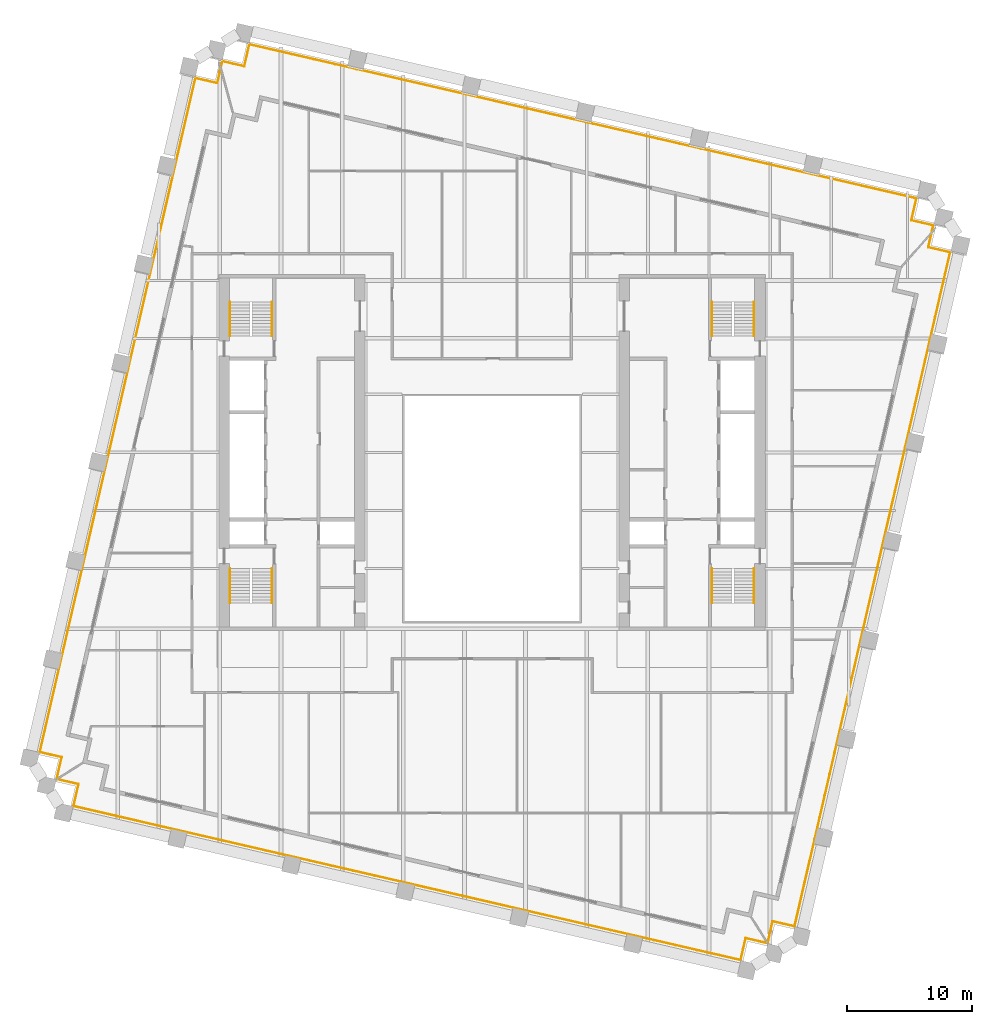
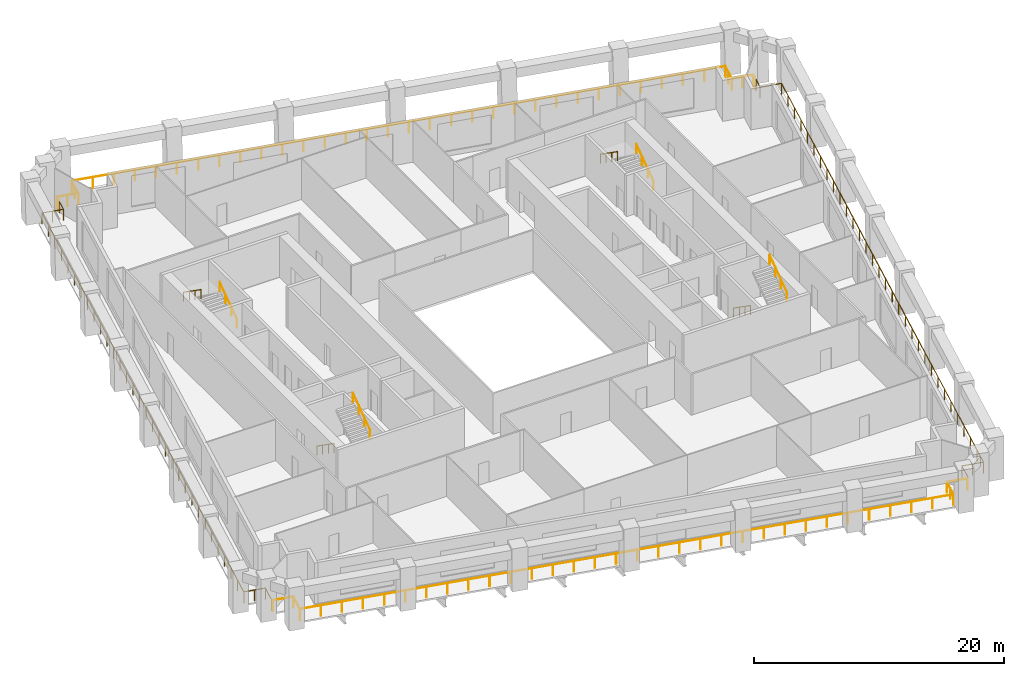
# One storey, part 9 of 9: 12 railings.
"""IFC4 building model written with IfcOpenShell, lengths in metres."""

from ifc_helpers import new_model, si_unit, direction, frame, origin, origin_2d, place, context, subcontext, project, spatial, circle, extrude, material, type_object, element, save


model = new_model("IFC4")

# Units and contexts
model_context = context("Model", 3, precision=1e-05, world=origin(), true_north=direction((0.0, 1.0)))
body_context = subcontext(model_context, "Body", "Model", "MODEL_VIEW")
ifc_project = project(units=[si_unit("LENGTHUNIT", "METRE"), si_unit("AREAUNIT", "SQUARE_METRE"), si_unit("VOLUMEUNIT", "CUBIC_METRE"), si_unit("PLANEANGLEUNIT", "RADIAN"), si_unit("MASSUNIT", "GRAM", prefix="KILO")], contexts=[model_context])

# Site, building, storey
site_placement = place(None, origin())
site = spatial("IfcSite", under=ifc_project, at=site_placement, CompositionType="ELEMENT")
building_placement = place(site_placement, origin())
building = spatial("IfcBuilding", under=site, at=building_placement, Name="Ogive Exchange Tower", CompositionType="ELEMENT")
storey_placement = place(building_placement, frame((0.0, 0.0, 122.39990234375)))
storey = spatial("IfcBuildingStorey", under=building, at=storey_placement, Name="L26", CompositionType="ELEMENT", Elevation=122.39990234375)

# Railings
ifc_material_1 = material(Name="Stainless steel 316", Category="steel")
railing_type_1 = type_object("IfcRailingType", Name="Guard 1100 stainless steel and glass", PredefinedType="GUARDRAIL", material=ifc_material_1)
railing_1_placement = place(storey_placement, frame((21.947265625, -27.74462890625, -0.0498046875)))
element("IfcRailing", 1, at=railing_1_placement, inside=storey, type_object=railing_type_1, Name="Loggia guard 1", PredefinedType="GUARDRAIL", context=body_context, shape_type="SweptSolid", body=[
    extrude(circle(Radius=0.02392578125, at=origin_2d()), frame((0.0, 0.0, 1.076171875), z_axis=(-0.974396013545, 0.224838628327, 0.0), x_axis=(-0.224838628327, -0.974396013545, 0.0)), (0.0, 0.0, 1.0), 1.7080078125),
    extrude(circle(Radius=0.02392578125, at=origin_2d()), frame((-1.664306640625, 0.384033203125, 1.076171875), z_axis=(-0.225008086135, -0.974356896201, 0.0), x_axis=(0.974356896201, -0.225008086135, 0.0)), (0.0, 0.0, 1.0), 1.800048828125),
    extrude(circle(Radius=0.02392578125, at=origin_2d()), frame((-2.0693359375, -1.369873046875, 1.076171875), z_axis=(-0.974368873975, 0.224956212247, 0.0), x_axis=(-0.224956212247, -0.974368873975, 0.0)), (0.0, 0.0, 1.0), 54.760009765625),
    extrude(circle(Radius=0.02392578125, at=origin_2d()), frame((-55.42578125, 10.94873046875, 1.076171875), z_axis=(0.22503782496, 0.974350028141, 0.0), x_axis=(-0.974350028141, 0.22503782496, 0.0)), (0.0, 0.0, 1.0), 1.7998046875),
    extrude(circle(Radius=0.02392578125, at=origin_2d()), frame((-55.020751953125, 12.702392578125, 1.076171875), z_axis=(-0.974364690374, 0.224974332206, 0.0), x_axis=(-0.224974332206, -0.974364690374, 0.0)), (0.0, 0.0, 1.0), 1.7080078125),
    extrude(circle(Radius=0.02099609375, at=origin_2d()), origin(), (0.0, 0.0, 1.0), 1.052001953125),
    extrude(circle(Radius=0.02099609375, at=origin_2d()), frame((-1.664306640625, 0.384033203125, 0.0)), (0.0, 0.0, 1.0), 1.052001953125),
    extrude(circle(Radius=0.02099609375, at=origin_2d()), frame((-1.86669921875, -0.492919921875, 0.0)), (0.0, 0.0, 1.0), 1.052001953125),
    extrude(circle(Radius=0.02099609375, at=origin_2d()), frame((-2.0693359375, -1.369873046875, 0.0)), (0.0, 0.0, 1.0), 1.052001953125),
    extrude(circle(Radius=0.02099609375, at=origin_2d()), frame((-3.79052734375, -0.972412109375, 0.0)), (0.0, 0.0, 1.0), 1.052001953125),
    extrude(circle(Radius=0.02099609375, at=origin_2d()), frame((-5.51171875, -0.5751953125, 0.0)), (0.0, 0.0, 1.0), 1.052001953125),
    extrude(circle(Radius=0.02099609375, at=origin_2d()), frame((-7.23291015625, -0.177734375, 0.0)), (0.0, 0.0, 1.0), 1.052001953125),
    extrude(circle(Radius=0.02099609375, at=origin_2d()), frame((-8.9541015625, 0.2197265625, 0.0)), (0.0, 0.0, 1.0), 1.052001953125),
    extrude(circle(Radius=0.02099609375, at=origin_2d()), frame((-10.67529296875, 0.616943359375, 0.0)), (0.0, 0.0, 1.0), 1.052001953125),
    extrude(circle(Radius=0.02099609375, at=origin_2d()), frame((-12.396484375, 1.014404296875, 0.0)), (0.0, 0.0, 1.0), 1.052001953125),
    extrude(circle(Radius=0.02099609375, at=origin_2d()), frame((-14.11767578125, 1.411865234375, 0.0)), (0.0, 0.0, 1.0), 1.052001953125),
    extrude(circle(Radius=0.02099609375, at=origin_2d()), frame((-15.838623046875, 1.80908203125, 0.0)), (0.0, 0.0, 1.0), 1.052001953125),
    extrude(circle(Radius=0.02099609375, at=origin_2d()), frame((-17.559814453125, 2.20654296875, 0.0)), (0.0, 0.0, 1.0), 1.052001953125),
    extrude(circle(Radius=0.02099609375, at=origin_2d()), frame((-19.281005859375, 2.603759765625, 0.0)), (0.0, 0.0, 1.0), 1.052001953125),
    extrude(circle(Radius=0.02099609375, at=origin_2d()), frame((-21.002197265625, 3.001220703125, 0.0)), (0.0, 0.0, 1.0), 1.052001953125),
    extrude(circle(Radius=0.02099609375, at=origin_2d()), frame((-22.723388671875, 3.398681640625, 0.0)), (0.0, 0.0, 1.0), 1.052001953125),
    extrude(circle(Radius=0.02099609375, at=origin_2d()), frame((-24.444580078125, 3.7958984375, 0.0)), (0.0, 0.0, 1.0), 1.052001953125),
    extrude(circle(Radius=0.02099609375, at=origin_2d()), frame((-26.165771484375, 4.193359375, 0.0)), (0.0, 0.0, 1.0), 1.052001953125),
    extrude(circle(Radius=0.02099609375, at=origin_2d()), frame((-27.886962890625, 4.5908203125, 0.0)), (0.0, 0.0, 1.0), 1.052001953125),
    extrude(circle(Radius=0.02099609375, at=origin_2d()), frame((-29.608154296875, 4.988037109375, 0.0)), (0.0, 0.0, 1.0), 1.052001953125),
    extrude(circle(Radius=0.02099609375, at=origin_2d()), frame((-31.329345703125, 5.385498046875, 0.0)), (0.0, 0.0, 1.0), 1.052001953125),
    extrude(circle(Radius=0.02099609375, at=origin_2d()), frame((-33.050537109375, 5.782958984375, 0.0)), (0.0, 0.0, 1.0), 1.052001953125),
    extrude(circle(Radius=0.02099609375, at=origin_2d()), frame((-34.771728515625, 6.18017578125, 0.0)), (0.0, 0.0, 1.0), 1.052001953125),
    extrude(circle(Radius=0.02099609375, at=origin_2d()), frame((-36.492919921875, 6.57763671875, 0.0)), (0.0, 0.0, 1.0), 1.052001953125),
    extrude(circle(Radius=0.02099609375, at=origin_2d()), frame((-38.214111328125, 6.97509765625, 0.0)), (0.0, 0.0, 1.0), 1.052001953125),
    extrude(circle(Radius=0.02099609375, at=origin_2d()), frame((-39.935302734375, 7.372314453125, 0.0)), (0.0, 0.0, 1.0), 1.052001953125),
    extrude(circle(Radius=0.02099609375, at=origin_2d()), frame((-41.656494140625, 7.769775390625, 0.0)), (0.0, 0.0, 1.0), 1.052001953125),
    extrude(circle(Radius=0.02099609375, at=origin_2d()), frame((-43.37744140625, 8.1669921875, 0.0)), (0.0, 0.0, 1.0), 1.052001953125),
    extrude(circle(Radius=0.02099609375, at=origin_2d()), frame((-45.0986328125, 8.564453125, 0.0)), (0.0, 0.0, 1.0), 1.052001953125),
    extrude(circle(Radius=0.02099609375, at=origin_2d()), frame((-46.81982421875, 8.9619140625, 0.0)), (0.0, 0.0, 1.0), 1.052001953125),
    extrude(circle(Radius=0.02099609375, at=origin_2d()), frame((-48.541015625, 9.359130859375, 0.0)), (0.0, 0.0, 1.0), 1.052001953125),
    extrude(circle(Radius=0.02099609375, at=origin_2d()), frame((-50.26220703125, 9.756591796875, 0.0)), (0.0, 0.0, 1.0), 1.052001953125),
    extrude(circle(Radius=0.02099609375, at=origin_2d()), frame((-51.9833984375, 10.154052734375, 0.0)), (0.0, 0.0, 1.0), 1.052001953125),
    extrude(circle(Radius=0.02099609375, at=origin_2d()), frame((-53.70458984375, 10.55126953125, 0.0)), (0.0, 0.0, 1.0), 1.052001953125),
    extrude(circle(Radius=0.02099609375, at=origin_2d()), frame((-55.42578125, 10.94873046875, 0.0)), (0.0, 0.0, 1.0), 1.052001953125),
    extrude(circle(Radius=0.02099609375, at=origin_2d()), frame((-55.020751953125, 12.702392578125, 0.0)), (0.0, 0.0, 1.0), 1.052001953125),
    extrude(circle(Radius=0.02099609375, at=origin_2d()), frame((-56.68505859375, 13.086669921875, 0.0)), (0.0, 0.0, 1.0), 1.052001953125),
])
railing_2_placement = place(storey_placement, frame((-34.806884765625, -14.547607421875, -0.0498046875)))
element("IfcRailing", 2, at=railing_2_placement, inside=storey, type_object=railing_type_1, Name="Loggia guard 2", PredefinedType="GUARDRAIL", context=body_context, shape_type="SweptSolid", body=[
    extrude(circle(Radius=0.02392578125, at=origin_2d()), frame((0.0, 0.0, 1.076171875), z_axis=(0.224974332206, 0.974364690374, 0.0), x_axis=(-0.974364690374, 0.224974332206, 0.0)), (0.0, 0.0, 1.0), 1.7080078125),
    extrude(circle(Radius=0.02392578125, at=origin_2d()), frame((0.38427734375, 1.664306640625, 1.076171875), z_axis=(-0.974386623598, 0.224879318197, 0.0), x_axis=(-0.224879318197, -0.974386623598, 0.0)), (0.0, 0.0, 1.0), 1.800048828125),
    extrude(circle(Radius=0.02392578125, at=origin_2d()), frame((-1.36962890625, 2.069091796875, 1.076171875), z_axis=(0.22495295563, 0.974369625837, 0.0), x_axis=(-0.974369625837, 0.22495295563, 0.0)), (0.0, 0.0, 1.0), 55.332763671875),
    extrude(circle(Radius=0.02392578125, at=origin_2d()), frame((11.07763671875, 55.983642578125, 1.076171875), z_axis=(0.974356896201, -0.225008086135, 0.0), x_axis=(0.225008086135, 0.974356896201, 0.0)), (0.0, 0.0, 1.0), 1.800048828125),
    extrude(circle(Radius=0.02392578125, at=origin_2d()), frame((12.83154296875, 55.57861328125, 1.076171875), z_axis=(0.224744377467, 0.974417756815, 0.0), x_axis=(-0.974417756815, 0.224744377467, 0.0)), (0.0, 0.0, 1.0), 1.084228515625),
    extrude(circle(Radius=0.02099609375, at=origin_2d()), origin(), (0.0, 0.0, 1.0), 1.052001953125),
    extrude(circle(Radius=0.02099609375, at=origin_2d()), frame((0.38427734375, 1.664306640625, 0.0)), (0.0, 0.0, 1.0), 1.052001953125),
    extrude(circle(Radius=0.02099609375, at=origin_2d()), frame((-0.49267578125, 1.86669921875, 0.0)), (0.0, 0.0, 1.0), 1.052001953125),
    extrude(circle(Radius=0.02099609375, at=origin_2d()), frame((-1.36962890625, 2.069091796875, 0.0)), (0.0, 0.0, 1.0), 1.052001953125),
    extrude(circle(Radius=0.02099609375, at=origin_2d()), frame((-0.968017578125, 3.808349609375, 0.0)), (0.0, 0.0, 1.0), 1.052001953125),
    extrude(circle(Radius=0.02099609375, at=origin_2d()), frame((-0.566650390625, 5.54736328125, 0.0)), (0.0, 0.0, 1.0), 1.052001953125),
    extrude(circle(Radius=0.02099609375, at=origin_2d()), frame((-0.1650390625, 7.28662109375, 0.0)), (0.0, 0.0, 1.0), 1.052001953125),
    extrude(circle(Radius=0.02099609375, at=origin_2d()), frame((0.236572265625, 9.02587890625, 0.0)), (0.0, 0.0, 1.0), 1.052001953125),
    extrude(circle(Radius=0.02099609375, at=origin_2d()), frame((0.637939453125, 10.764892578125, 0.0)), (0.0, 0.0, 1.0), 1.052001953125),
    extrude(circle(Radius=0.02099609375, at=origin_2d()), frame((1.03955078125, 12.504150390625, 0.0)), (0.0, 0.0, 1.0), 1.052001953125),
    extrude(circle(Radius=0.02099609375, at=origin_2d()), frame((1.441162109375, 14.243408203125, 0.0)), (0.0, 0.0, 1.0), 1.052001953125),
    extrude(circle(Radius=0.02099609375, at=origin_2d()), frame((1.842529296875, 15.982421875, 0.0)), (0.0, 0.0, 1.0), 1.052001953125),
    extrude(circle(Radius=0.02099609375, at=origin_2d()), frame((2.244140625, 17.7216796875, 0.0)), (0.0, 0.0, 1.0), 1.052001953125),
    extrude(circle(Radius=0.02099609375, at=origin_2d()), frame((2.6455078125, 19.4609375, 0.0)), (0.0, 0.0, 1.0), 1.052001953125),
    extrude(circle(Radius=0.02099609375, at=origin_2d()), frame((3.047119140625, 21.199951171875, 0.0)), (0.0, 0.0, 1.0), 1.052001953125),
    extrude(circle(Radius=0.02099609375, at=origin_2d()), frame((3.44873046875, 22.939208984375, 0.0)), (0.0, 0.0, 1.0), 1.052001953125),
    extrude(circle(Radius=0.02099609375, at=origin_2d()), frame((3.85009765625, 24.678466796875, 0.0)), (0.0, 0.0, 1.0), 1.052001953125),
    extrude(circle(Radius=0.02099609375, at=origin_2d()), frame((4.251708984375, 26.41748046875, 0.0)), (0.0, 0.0, 1.0), 1.052001953125),
    extrude(circle(Radius=0.02099609375, at=origin_2d()), frame((4.6533203125, 28.15673828125, 0.0)), (0.0, 0.0, 1.0), 1.052001953125),
    extrude(circle(Radius=0.02099609375, at=origin_2d()), frame((5.0546875, 29.89599609375, 0.0)), (0.0, 0.0, 1.0), 1.052001953125),
    extrude(circle(Radius=0.02099609375, at=origin_2d()), frame((5.456298828125, 31.63525390625, 0.0)), (0.0, 0.0, 1.0), 1.052001953125),
    extrude(circle(Radius=0.02099609375, at=origin_2d()), frame((5.85791015625, 33.374267578125, 0.0)), (0.0, 0.0, 1.0), 1.052001953125),
    extrude(circle(Radius=0.02099609375, at=origin_2d()), frame((6.25927734375, 35.113525390625, 0.0)), (0.0, 0.0, 1.0), 1.052001953125),
    extrude(circle(Radius=0.02099609375, at=origin_2d()), frame((6.660888671875, 36.852783203125, 0.0)), (0.0, 0.0, 1.0), 1.052001953125),
    extrude(circle(Radius=0.02099609375, at=origin_2d()), frame((7.0625, 38.591796875, 0.0)), (0.0, 0.0, 1.0), 1.052001953125),
    extrude(circle(Radius=0.02099609375, at=origin_2d()), frame((7.4638671875, 40.3310546875, 0.0)), (0.0, 0.0, 1.0), 1.052001953125),
    extrude(circle(Radius=0.02099609375, at=origin_2d()), frame((7.865478515625, 42.0703125, 0.0)), (0.0, 0.0, 1.0), 1.052001953125),
    extrude(circle(Radius=0.02099609375, at=origin_2d()), frame((8.266845703125, 43.809326171875, 0.0)), (0.0, 0.0, 1.0), 1.052001953125),
    extrude(circle(Radius=0.02099609375, at=origin_2d()), frame((8.66845703125, 45.548583984375, 0.0)), (0.0, 0.0, 1.0), 1.052001953125),
    extrude(circle(Radius=0.02099609375, at=origin_2d()), frame((9.070068359375, 47.287841796875, 0.0)), (0.0, 0.0, 1.0), 1.052001953125),
    extrude(circle(Radius=0.02099609375, at=origin_2d()), frame((9.471435546875, 49.02685546875, 0.0)), (0.0, 0.0, 1.0), 1.052001953125),
    extrude(circle(Radius=0.02099609375, at=origin_2d()), frame((9.873046875, 50.76611328125, 0.0)), (0.0, 0.0, 1.0), 1.052001953125),
    extrude(circle(Radius=0.02099609375, at=origin_2d()), frame((10.274658203125, 52.50537109375, 0.0)), (0.0, 0.0, 1.0), 1.052001953125),
    extrude(circle(Radius=0.02099609375, at=origin_2d()), frame((10.676025390625, 54.244384765625, 0.0)), (0.0, 0.0, 1.0), 1.052001953125),
    extrude(circle(Radius=0.02099609375, at=origin_2d()), frame((11.07763671875, 55.983642578125, 0.0)), (0.0, 0.0, 1.0), 1.052001953125),
    extrude(circle(Radius=0.02099609375, at=origin_2d()), frame((11.95458984375, 55.78125, 0.0)), (0.0, 0.0, 1.0), 1.052001953125),
    extrude(circle(Radius=0.02099609375, at=origin_2d()), frame((12.83154296875, 55.57861328125, 0.0)), (0.0, 0.0, 1.0), 1.052001953125),
    extrude(circle(Radius=0.02099609375, at=origin_2d()), frame((13.0751953125, 56.635009765625, 0.0)), (0.0, 0.0, 1.0), 1.052001953125),
])
railing_3_placement = place(storey_placement, frame((-21.669677734375, 42.355224609375, -0.0498046875)))
element("IfcRailing", 3, at=railing_3_placement, inside=storey, type_object=railing_type_1, Name="Loggia guard 3", PredefinedType="GUARDRAIL", context=body_context, shape_type="SweptSolid", body=[
    extrude(circle(Radius=0.02392578125, at=origin_2d()), frame((0.0, 0.0, 1.076171875), z_axis=(0.224778636874, 0.974409854427, 0.0), x_axis=(-0.974409854427, 0.224778636874, 0.0)), (0.0, 0.0, 1.0), 0.44091796875),
    extrude(circle(Radius=0.02392578125, at=origin_2d()), frame((0.09912109375, 0.4296875, 1.076171875), z_axis=(0.974386623598, -0.224879318197, 0.0), x_axis=(0.224879318197, 0.974386623598, 0.0)), (0.0, 0.0, 1.0), 1.800048828125),
    extrude(circle(Radius=0.02392578125, at=origin_2d()), frame((1.85302734375, 0.02490234375, 1.076171875), z_axis=(0.225008086135, 0.974356896201, 0.0), x_axis=(-0.974356896201, 0.225008086135, 0.0)), (0.0, 0.0, 1.0), 1.800048828125),
    extrude(circle(Radius=0.02392578125, at=origin_2d()), frame((2.258056640625, 1.77880859375, 1.076171875), z_axis=(0.974369851199, -0.224951979483, 0.0), x_axis=(0.224951979483, 0.974369851199, 0.0)), (0.0, 0.0, 1.0), 54.760009765625),
    extrude(circle(Radius=0.02392578125, at=origin_2d()), frame((55.614501953125, -10.53955078125, 1.076171875), z_axis=(-0.225008086135, -0.974356896201, 0.0), x_axis=(0.974356896201, -0.225008086135, 0.0)), (0.0, 0.0, 1.0), 1.800048828125),
    extrude(circle(Radius=0.02392578125, at=origin_2d()), frame((55.20947265625, -12.29345703125, 1.076171875), z_axis=(0.974386623598, -0.224879318197, 0.0), x_axis=(0.224879318197, 0.974386623598, 0.0)), (0.0, 0.0, 1.0), 1.800048828125),
    extrude(circle(Radius=0.02392578125, at=origin_2d()), frame((56.96337890625, -12.6982421875, 1.076171875), z_axis=(-0.224657438247, -0.974437804809, 0.0), x_axis=(0.974437804809, -0.224657438247, 0.0)), (0.0, 0.0, 1.0), 0.441162109375),
    extrude(circle(Radius=0.02099609375, at=origin_2d()), origin(), (0.0, 0.0, 1.0), 1.052001953125),
    extrude(circle(Radius=0.02099609375, at=origin_2d()), frame((0.09912109375, 0.4296875, 0.0)), (0.0, 0.0, 1.0), 1.052001953125),
    extrude(circle(Radius=0.02099609375, at=origin_2d()), frame((0.97607421875, 0.227294921875, 0.0)), (0.0, 0.0, 1.0), 1.052001953125),
    extrude(circle(Radius=0.02099609375, at=origin_2d()), frame((1.85302734375, 0.02490234375, 0.0)), (0.0, 0.0, 1.0), 1.052001953125),
    extrude(circle(Radius=0.02099609375, at=origin_2d()), frame((2.0556640625, 0.90185546875, 0.0)), (0.0, 0.0, 1.0), 1.052001953125),
    extrude(circle(Radius=0.02099609375, at=origin_2d()), frame((2.258056640625, 1.77880859375, 0.0)), (0.0, 0.0, 1.0), 1.052001953125),
    extrude(circle(Radius=0.02099609375, at=origin_2d()), frame((3.979248046875, 1.38134765625, 0.0)), (0.0, 0.0, 1.0), 1.052001953125),
    extrude(circle(Radius=0.02099609375, at=origin_2d()), frame((5.700439453125, 0.984130859375, 0.0)), (0.0, 0.0, 1.0), 1.052001953125),
    extrude(circle(Radius=0.02099609375, at=origin_2d()), frame((7.421630859375, 0.586669921875, 0.0)), (0.0, 0.0, 1.0), 1.052001953125),
    extrude(circle(Radius=0.02099609375, at=origin_2d()), frame((9.142822265625, 0.189453125, 0.0)), (0.0, 0.0, 1.0), 1.052001953125),
    extrude(circle(Radius=0.02099609375, at=origin_2d()), frame((10.864013671875, -0.2080078125, 0.0)), (0.0, 0.0, 1.0), 1.052001953125),
    extrude(circle(Radius=0.02099609375, at=origin_2d()), frame((12.585205078125, -0.60546875, 0.0)), (0.0, 0.0, 1.0), 1.052001953125),
    extrude(circle(Radius=0.02099609375, at=origin_2d()), frame((14.306396484375, -1.002685546875, 0.0)), (0.0, 0.0, 1.0), 1.052001953125),
    extrude(circle(Radius=0.02099609375, at=origin_2d()), frame((16.02734375, -1.400146484375, 0.0)), (0.0, 0.0, 1.0), 1.052001953125),
    extrude(circle(Radius=0.02099609375, at=origin_2d()), frame((17.74853515625, -1.797607421875, 0.0)), (0.0, 0.0, 1.0), 1.052001953125),
    extrude(circle(Radius=0.02099609375, at=origin_2d()), frame((19.4697265625, -2.19482421875, 0.0)), (0.0, 0.0, 1.0), 1.052001953125),
    extrude(circle(Radius=0.02099609375, at=origin_2d()), frame((21.19091796875, -2.59228515625, 0.0)), (0.0, 0.0, 1.0), 1.052001953125),
    extrude(circle(Radius=0.02099609375, at=origin_2d()), frame((22.912109375, -2.989501953125, 0.0)), (0.0, 0.0, 1.0), 1.052001953125),
    extrude(circle(Radius=0.02099609375, at=origin_2d()), frame((24.63330078125, -3.386962890625, 0.0)), (0.0, 0.0, 1.0), 1.052001953125),
    extrude(circle(Radius=0.02099609375, at=origin_2d()), frame((26.3544921875, -3.784423828125, 0.0)), (0.0, 0.0, 1.0), 1.052001953125),
    extrude(circle(Radius=0.02099609375, at=origin_2d()), frame((28.07568359375, -4.181640625, 0.0)), (0.0, 0.0, 1.0), 1.052001953125),
    extrude(circle(Radius=0.02099609375, at=origin_2d()), frame((29.796875, -4.5791015625, 0.0)), (0.0, 0.0, 1.0), 1.052001953125),
    extrude(circle(Radius=0.02099609375, at=origin_2d()), frame((31.51806640625, -4.976318359375, 0.0)), (0.0, 0.0, 1.0), 1.052001953125),
    extrude(circle(Radius=0.02099609375, at=origin_2d()), frame((33.2392578125, -5.373779296875, 0.0)), (0.0, 0.0, 1.0), 1.052001953125),
    extrude(circle(Radius=0.02099609375, at=origin_2d()), frame((34.96044921875, -5.771240234375, 0.0)), (0.0, 0.0, 1.0), 1.052001953125),
    extrude(circle(Radius=0.02099609375, at=origin_2d()), frame((36.681640625, -6.16845703125, 0.0)), (0.0, 0.0, 1.0), 1.052001953125),
    extrude(circle(Radius=0.02099609375, at=origin_2d()), frame((38.40283203125, -6.56591796875, 0.0)), (0.0, 0.0, 1.0), 1.052001953125),
    extrude(circle(Radius=0.02099609375, at=origin_2d()), frame((40.1240234375, -6.963134765625, 0.0)), (0.0, 0.0, 1.0), 1.052001953125),
    extrude(circle(Radius=0.02099609375, at=origin_2d()), frame((41.84521484375, -7.360595703125, 0.0)), (0.0, 0.0, 1.0), 1.052001953125),
    extrude(circle(Radius=0.02099609375, at=origin_2d()), frame((43.566162109375, -7.758056640625, 0.0)), (0.0, 0.0, 1.0), 1.052001953125),
    extrude(circle(Radius=0.02099609375, at=origin_2d()), frame((45.287353515625, -8.1552734375, 0.0)), (0.0, 0.0, 1.0), 1.052001953125),
    extrude(circle(Radius=0.02099609375, at=origin_2d()), frame((47.008544921875, -8.552734375, 0.0)), (0.0, 0.0, 1.0), 1.052001953125),
    extrude(circle(Radius=0.02099609375, at=origin_2d()), frame((48.729736328125, -8.9501953125, 0.0)), (0.0, 0.0, 1.0), 1.052001953125),
    extrude(circle(Radius=0.02099609375, at=origin_2d()), frame((50.450927734375, -9.347412109375, 0.0)), (0.0, 0.0, 1.0), 1.052001953125),
    extrude(circle(Radius=0.02099609375, at=origin_2d()), frame((52.172119140625, -9.744873046875, 0.0)), (0.0, 0.0, 1.0), 1.052001953125),
    extrude(circle(Radius=0.02099609375, at=origin_2d()), frame((53.893310546875, -10.14208984375, 0.0)), (0.0, 0.0, 1.0), 1.052001953125),
    extrude(circle(Radius=0.02099609375, at=origin_2d()), frame((55.614501953125, -10.53955078125, 0.0)), (0.0, 0.0, 1.0), 1.052001953125),
    extrude(circle(Radius=0.02099609375, at=origin_2d()), frame((55.412109375, -11.41650390625, 0.0)), (0.0, 0.0, 1.0), 1.052001953125),
    extrude(circle(Radius=0.02099609375, at=origin_2d()), frame((55.20947265625, -12.29345703125, 0.0)), (0.0, 0.0, 1.0), 1.052001953125),
    extrude(circle(Radius=0.02099609375, at=origin_2d()), frame((56.08642578125, -12.495849609375, 0.0)), (0.0, 0.0, 1.0), 1.052001953125),
    extrude(circle(Radius=0.02099609375, at=origin_2d()), frame((56.96337890625, -12.6982421875, 0.0)), (0.0, 0.0, 1.0), 1.052001953125),
    extrude(circle(Radius=0.02099609375, at=origin_2d()), frame((56.8642578125, -13.128173828125, 0.0)), (0.0, 0.0, 1.0), 1.052001953125),
])
railing_4_placement = place(storey_placement, frame((35.132568359375, 28.958984375, -0.0498046875)))
element("IfcRailing", 4, at=railing_4_placement, inside=storey, type_object=railing_type_1, Name="Loggia guard 4", PredefinedType="GUARDRAIL", context=body_context, shape_type="SweptSolid", body=[
    extrude(circle(Radius=0.02392578125, at=origin_2d()), frame((0.0, 0.0, 1.076171875), z_axis=(-0.224843052637, -0.97439499264, 0.0), x_axis=(0.97439499264, -0.224843052637, 0.0)), (0.0, 0.0, 1.0), 1.083740234375),
    extrude(circle(Radius=0.02392578125, at=origin_2d()), frame((-0.24365234375, -1.055908203125, 1.076171875), z_axis=(0.974350028141, -0.22503782496, 0.0), x_axis=(0.22503782496, 0.974350028141, 0.0)), (0.0, 0.0, 1.0), 1.7998046875),
    extrude(circle(Radius=0.02392578125, at=origin_2d()), frame((1.510009765625, -1.4609375, 1.076171875), z_axis=(-0.224948766673, -0.974370592933, 0.0), x_axis=(0.974370592933, -0.224948766673, 0.0)), (0.0, 0.0, 1.0), 55.332763671875),
    extrude(circle(Radius=0.02392578125, at=origin_2d()), frame((-10.93701171875, -55.37548828125, 1.076171875), z_axis=(-0.974356896201, 0.225008086135, 0.0), x_axis=(-0.225008086135, -0.974356896201, 0.0)), (0.0, 0.0, 1.0), 1.800048828125),
    extrude(circle(Radius=0.02392578125, at=origin_2d()), frame((-12.69091796875, -54.970458984375, 1.076171875), z_axis=(-0.224974332206, -0.974364690374, 0.0), x_axis=(0.974364690374, -0.224974332206, 0.0)), (0.0, 0.0, 1.0), 1.7080078125),
    extrude(circle(Radius=0.02099609375, at=origin_2d()), origin(), (0.0, 0.0, 1.0), 1.052001953125),
    extrude(circle(Radius=0.02099609375, at=origin_2d()), frame((-0.24365234375, -1.055908203125, 0.0)), (0.0, 0.0, 1.0), 1.052001953125),
    extrude(circle(Radius=0.02099609375, at=origin_2d()), frame((1.510009765625, -1.4609375, 0.0)), (0.0, 0.0, 1.0), 1.052001953125),
    extrude(circle(Radius=0.02099609375, at=origin_2d()), frame((1.1083984375, -3.2001953125, 0.0)), (0.0, 0.0, 1.0), 1.052001953125),
    extrude(circle(Radius=0.02099609375, at=origin_2d()), frame((0.70703125, -4.939208984375, 0.0)), (0.0, 0.0, 1.0), 1.052001953125),
    extrude(circle(Radius=0.02099609375, at=origin_2d()), frame((0.305419921875, -6.678466796875, 0.0)), (0.0, 0.0, 1.0), 1.052001953125),
    extrude(circle(Radius=0.02099609375, at=origin_2d()), frame((-0.095947265625, -8.417724609375, 0.0)), (0.0, 0.0, 1.0), 1.052001953125),
    extrude(circle(Radius=0.02099609375, at=origin_2d()), frame((-0.49755859375, -10.15673828125, 0.0)), (0.0, 0.0, 1.0), 1.052001953125),
    extrude(circle(Radius=0.02099609375, at=origin_2d()), frame((-0.899169921875, -11.89599609375, 0.0)), (0.0, 0.0, 1.0), 1.052001953125),
    extrude(circle(Radius=0.02099609375, at=origin_2d()), frame((-1.300537109375, -13.63525390625, 0.0)), (0.0, 0.0, 1.0), 1.052001953125),
    extrude(circle(Radius=0.02099609375, at=origin_2d()), frame((-1.7021484375, -15.374267578125, 0.0)), (0.0, 0.0, 1.0), 1.052001953125),
    extrude(circle(Radius=0.02099609375, at=origin_2d()), frame((-2.103759765625, -17.113525390625, 0.0)), (0.0, 0.0, 1.0), 1.052001953125),
    extrude(circle(Radius=0.02099609375, at=origin_2d()), frame((-2.505126953125, -18.852783203125, 0.0)), (0.0, 0.0, 1.0), 1.052001953125),
    extrude(circle(Radius=0.02099609375, at=origin_2d()), frame((-2.90673828125, -20.591796875, 0.0)), (0.0, 0.0, 1.0), 1.052001953125),
    extrude(circle(Radius=0.02099609375, at=origin_2d()), frame((-3.30810546875, -22.3310546875, 0.0)), (0.0, 0.0, 1.0), 1.052001953125),
    extrude(circle(Radius=0.02099609375, at=origin_2d()), frame((-3.709716796875, -24.0703125, 0.0)), (0.0, 0.0, 1.0), 1.052001953125),
    extrude(circle(Radius=0.02099609375, at=origin_2d()), frame((-4.111328125, -25.809326171875, 0.0)), (0.0, 0.0, 1.0), 1.052001953125),
    extrude(circle(Radius=0.02099609375, at=origin_2d()), frame((-4.5126953125, -27.548583984375, 0.0)), (0.0, 0.0, 1.0), 1.052001953125),
    extrude(circle(Radius=0.02099609375, at=origin_2d()), frame((-4.914306640625, -29.287841796875, 0.0)), (0.0, 0.0, 1.0), 1.052001953125),
    extrude(circle(Radius=0.02099609375, at=origin_2d()), frame((-5.315673828125, -31.027099609375, 0.0)), (0.0, 0.0, 1.0), 1.052001953125),
    extrude(circle(Radius=0.02099609375, at=origin_2d()), frame((-5.71728515625, -32.76611328125, 0.0)), (0.0, 0.0, 1.0), 1.052001953125),
    extrude(circle(Radius=0.02099609375, at=origin_2d()), frame((-6.118896484375, -34.50537109375, 0.0)), (0.0, 0.0, 1.0), 1.052001953125),
    extrude(circle(Radius=0.02099609375, at=origin_2d()), frame((-6.520263671875, -36.24462890625, 0.0)), (0.0, 0.0, 1.0), 1.052001953125),
    extrude(circle(Radius=0.02099609375, at=origin_2d()), frame((-6.921875, -37.983642578125, 0.0)), (0.0, 0.0, 1.0), 1.052001953125),
    extrude(circle(Radius=0.02099609375, at=origin_2d()), frame((-7.3232421875, -39.722900390625, 0.0)), (0.0, 0.0, 1.0), 1.052001953125),
    extrude(circle(Radius=0.02099609375, at=origin_2d()), frame((-7.724853515625, -41.462158203125, 0.0)), (0.0, 0.0, 1.0), 1.052001953125),
    extrude(circle(Radius=0.02099609375, at=origin_2d()), frame((-8.12646484375, -43.201171875, 0.0)), (0.0, 0.0, 1.0), 1.052001953125),
    extrude(circle(Radius=0.02099609375, at=origin_2d()), frame((-8.52783203125, -44.9404296875, 0.0)), (0.0, 0.0, 1.0), 1.052001953125),
    extrude(circle(Radius=0.02099609375, at=origin_2d()), frame((-8.929443359375, -46.6796875, 0.0)), (0.0, 0.0, 1.0), 1.052001953125),
    extrude(circle(Radius=0.02099609375, at=origin_2d()), frame((-9.3310546875, -48.418701171875, 0.0)), (0.0, 0.0, 1.0), 1.052001953125),
    extrude(circle(Radius=0.02099609375, at=origin_2d()), frame((-9.732421875, -50.157958984375, 0.0)), (0.0, 0.0, 1.0), 1.052001953125),
    extrude(circle(Radius=0.02099609375, at=origin_2d()), frame((-10.134033203125, -51.897216796875, 0.0)), (0.0, 0.0, 1.0), 1.052001953125),
    extrude(circle(Radius=0.02099609375, at=origin_2d()), frame((-10.535400390625, -53.63623046875, 0.0)), (0.0, 0.0, 1.0), 1.052001953125),
    extrude(circle(Radius=0.02099609375, at=origin_2d()), frame((-10.93701171875, -55.37548828125, 0.0)), (0.0, 0.0, 1.0), 1.052001953125),
    extrude(circle(Radius=0.02099609375, at=origin_2d()), frame((-11.81396484375, -55.1728515625, 0.0)), (0.0, 0.0, 1.0), 1.052001953125),
    extrude(circle(Radius=0.02099609375, at=origin_2d()), frame((-12.69091796875, -54.970458984375, 0.0)), (0.0, 0.0, 1.0), 1.052001953125),
    extrude(circle(Radius=0.02099609375, at=origin_2d()), frame((-13.0751953125, -56.634765625, 0.0)), (0.0, 0.0, 1.0), 1.052001953125),
])
ifc_material_2 = material(Name="Stainless steel", Category="steel")
railing_type_2 = type_object("IfcRailingType", Name="Stair handrail 900", PredefinedType="HANDRAIL", material=ifc_material_2)
railing_5_placement = place(storey_placement, frame((-20.949951171875, 2.199951171875, 0.175048828125)))
element("IfcRailing", 5, at=railing_5_placement, inside=storey, type_object=railing_type_2, Name="L26 ST1 stair handrail 1", PredefinedType="HANDRAIL", context=body_context, shape_type="SweptSolid", body=[
    extrude(circle(Radius=0.02392578125, at=origin_2d()), frame((0.0, 0.0, 0.8759765625), z_axis=(0.0, -0.819225086817, 0.573472106672), x_axis=(1.0, 0.0, 0.0)), (0.0, 0.0, 1.0), 3.35693359375),
    extrude(circle(Radius=0.02099609375, at=origin_2d()), origin(), (0.0, 0.0, 1.0), 0.851806640625),
    extrude(circle(Radius=0.02099609375, at=origin_2d()), frame((0.0, -0.916748046875, 0.6416015625)), (0.0, 0.0, 1.0), 0.851806640625),
    extrude(circle(Radius=0.02099609375, at=origin_2d()), frame((0.0, -1.833251953125, 1.283447265625)), (0.0, 0.0, 1.0), 0.851806640625),
    extrude(circle(Radius=0.02099609375, at=origin_2d()), frame((0.0, -2.75, 1.925048828125)), (0.0, 0.0, 1.0), 0.851806640625),
])
for number, where, name in (
    (6, (-17.60009765625, -0.550048828125, 2.275146484375), "L26 ST1 stair handrail 2"),
    (7, (-17.60009765625, 20.800048828125, 0.175048828125), "L26 ST2 stair handrail 1"),
):
    element("IfcRailing", number, at=place(storey_placement, frame(where)), inside=storey, type_object=railing_type_2, Name=name, PredefinedType="HANDRAIL", context=body_context, shape_type="SweptSolid", body=[
        extrude(circle(Radius=0.02392578125, at=origin_2d()), frame((0.0, 0.0, 0.8759765625), z_axis=(0.0, 0.819225086817, 0.573472106672), x_axis=(-1.0, 0.0, 0.0)), (0.0, 0.0, 1.0), 3.35693359375),
        extrude(circle(Radius=0.02099609375, at=origin_2d()), origin(), (0.0, 0.0, 1.0), 0.851806640625),
        extrude(circle(Radius=0.02099609375, at=origin_2d()), frame((0.0, 0.916748046875, 0.6416015625)), (0.0, 0.0, 1.0), 0.851806640625),
        extrude(circle(Radius=0.02099609375, at=origin_2d()), frame((0.0, 1.833251953125, 1.283447265625)), (0.0, 0.0, 1.0), 0.851806640625),
        extrude(circle(Radius=0.02099609375, at=origin_2d()), frame((0.0, 2.75, 1.925048828125)), (0.0, 0.0, 1.0), 0.851806640625),
    ])
for number, where, name in (
    (8, (-20.949951171875, 23.550048828125, 2.275146484375), "L26 ST2 stair handrail 2"),
    (9, (17.60009765625, 2.199951171875, 0.175048828125), "L26 ST3 stair handrail 1"),
):
    element("IfcRailing", number, at=place(storey_placement, frame(where)), inside=storey, type_object=railing_type_2, Name=name, PredefinedType="HANDRAIL", context=body_context, shape_type="SweptSolid", body=[
        extrude(circle(Radius=0.02392578125, at=origin_2d()), frame((0.0, 0.0, 0.8759765625), z_axis=(0.0, -0.819225086817, 0.573472106672), x_axis=(1.0, 0.0, 0.0)), (0.0, 0.0, 1.0), 3.35693359375),
        extrude(circle(Radius=0.02099609375, at=origin_2d()), origin(), (0.0, 0.0, 1.0), 0.851806640625),
        extrude(circle(Radius=0.02099609375, at=origin_2d()), frame((0.0, -0.916748046875, 0.6416015625)), (0.0, 0.0, 1.0), 0.851806640625),
        extrude(circle(Radius=0.02099609375, at=origin_2d()), frame((0.0, -1.833251953125, 1.283447265625)), (0.0, 0.0, 1.0), 0.851806640625),
        extrude(circle(Radius=0.02099609375, at=origin_2d()), frame((0.0, -2.75, 1.925048828125)), (0.0, 0.0, 1.0), 0.851806640625),
    ])
for number, where, name in (
    (10, (20.949951171875, -0.550048828125, 2.275146484375), "L26 ST3 stair handrail 2"),
    (11, (20.949951171875, 20.800048828125, 0.175048828125), "L26 ST4 stair handrail 1"),
):
    element("IfcRailing", number, at=place(storey_placement, frame(where)), inside=storey, type_object=railing_type_2, Name=name, PredefinedType="HANDRAIL", context=body_context, shape_type="SweptSolid", body=[
        extrude(circle(Radius=0.02392578125, at=origin_2d()), frame((0.0, 0.0, 0.8759765625), z_axis=(0.0, 0.819225086817, 0.573472106672), x_axis=(-1.0, 0.0, 0.0)), (0.0, 0.0, 1.0), 3.35693359375),
        extrude(circle(Radius=0.02099609375, at=origin_2d()), origin(), (0.0, 0.0, 1.0), 0.851806640625),
        extrude(circle(Radius=0.02099609375, at=origin_2d()), frame((0.0, 0.916748046875, 0.6416015625)), (0.0, 0.0, 1.0), 0.851806640625),
        extrude(circle(Radius=0.02099609375, at=origin_2d()), frame((0.0, 1.833251953125, 1.283447265625)), (0.0, 0.0, 1.0), 0.851806640625),
        extrude(circle(Radius=0.02099609375, at=origin_2d()), frame((0.0, 2.75, 1.925048828125)), (0.0, 0.0, 1.0), 0.851806640625),
    ])
railing_6_placement = place(storey_placement, frame((17.60009765625, 23.550048828125, 2.275146484375)))
element("IfcRailing", 12, at=railing_6_placement, inside=storey, type_object=railing_type_2, Name="L26 ST4 stair handrail 2", PredefinedType="HANDRAIL", context=body_context, shape_type="SweptSolid", body=[
    extrude(circle(Radius=0.02392578125, at=origin_2d()), frame((0.0, 0.0, 0.8759765625), z_axis=(0.0, -0.819225086817, 0.573472106672), x_axis=(1.0, 0.0, 0.0)), (0.0, 0.0, 1.0), 3.35693359375),
    extrude(circle(Radius=0.02099609375, at=origin_2d()), origin(), (0.0, 0.0, 1.0), 0.851806640625),
    extrude(circle(Radius=0.02099609375, at=origin_2d()), frame((0.0, -0.916748046875, 0.6416015625)), (0.0, 0.0, 1.0), 0.851806640625),
    extrude(circle(Radius=0.02099609375, at=origin_2d()), frame((0.0, -1.833251953125, 1.283447265625)), (0.0, 0.0, 1.0), 0.851806640625),
    extrude(circle(Radius=0.02099609375, at=origin_2d()), frame((0.0, -2.75, 1.925048828125)), (0.0, 0.0, 1.0), 0.851806640625),
])

save(model, "model.ifc")
